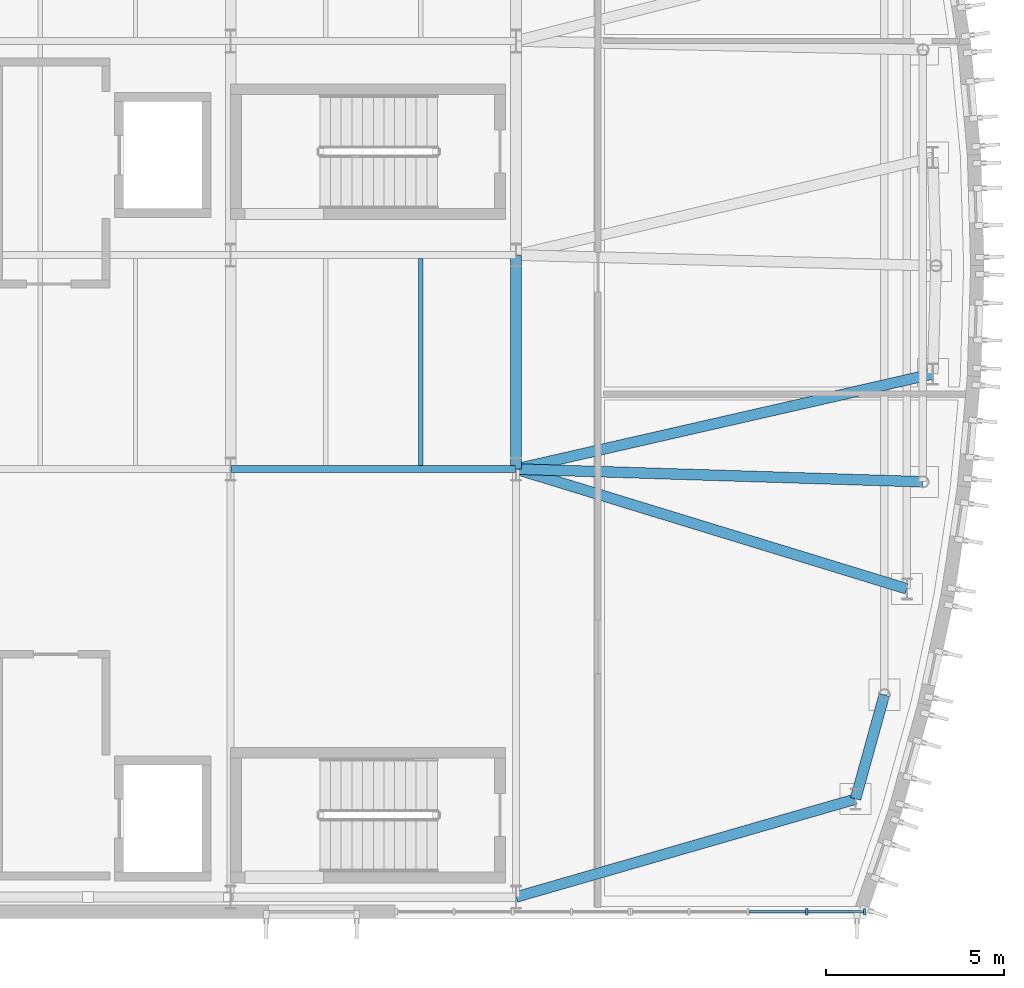
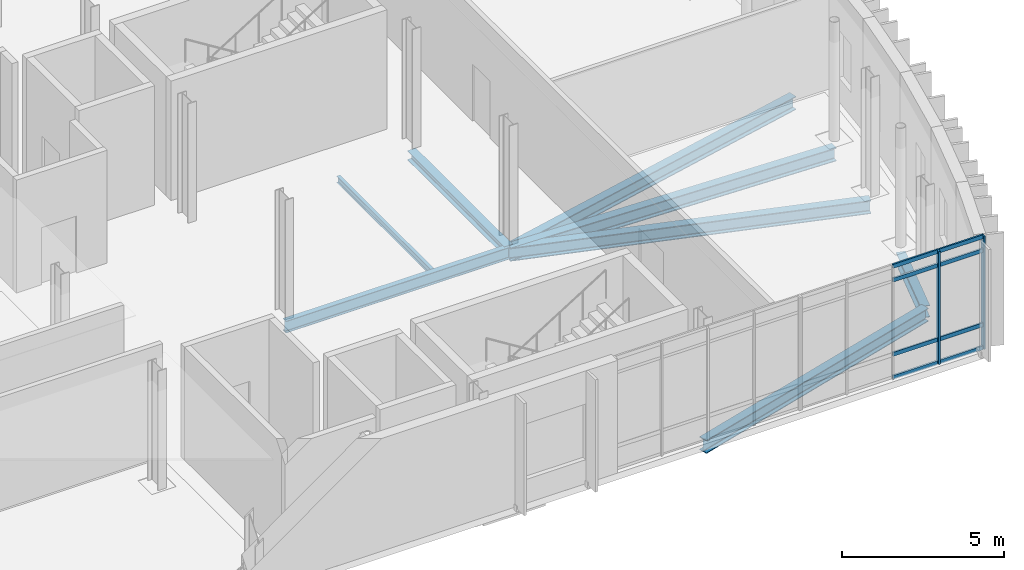
# One storey, part 42 of 100: 10 members, 8 beams, 1 element without a shape of its own.
"""IFC4 building model written with IfcOpenShell, lengths in metres."""

from ifc_helpers import new_model, si_unit, direction, frame, origin, origin_2d, place, context, subcontext, project, spatial, rectangle, i_section, extrude, material, material_profile, profile_set, type_object, element, aggregate, save


model = new_model("IFC4")

# Units and contexts
model_context = context("Model", 3, precision=1e-05, world=origin(), true_north=direction((0.0, 1.0)))
body_context = subcontext(model_context, "Body", "Model", "MODEL_VIEW")
ifc_project = project(units=[si_unit("LENGTHUNIT", "METRE"), si_unit("AREAUNIT", "SQUARE_METRE"), si_unit("VOLUMEUNIT", "CUBIC_METRE"), si_unit("PLANEANGLEUNIT", "RADIAN"), si_unit("MASSUNIT", "GRAM", prefix="KILO")], contexts=[model_context])

# Site, building, storey
site_placement = place(None, origin())
site = spatial("IfcSite", under=ifc_project, at=site_placement, CompositionType="ELEMENT")
building_placement = place(site_placement, origin())
building = spatial("IfcBuilding", under=site, at=building_placement, Name="Cymarion Research Institute", CompositionType="ELEMENT")
storey_placement = place(building_placement, frame((0.0, 0.0, 4.800048828125)))
storey = spatial("IfcBuildingStorey", under=building, at=storey_placement, Name="L01", CompositionType="ELEMENT", Elevation=4.800048828125)

# Curtain wall, members
ifc_material_1 = material(Name="Anodised aluminium unitised curtain wall with Low-E glazing", Category="aluminium")
curtain_wall_type = type_object("IfcCurtainWallType", Name="UNITISED CURTAIN WALL CW01 6590X4250", PredefinedType="NOTDEFINED", material=ifc_material_1)
curtain_wall_placement = place(storey_placement, origin())
curtain_wall = element("IfcCurtainWall", 1, at=curtain_wall_placement, inside=storey, type_object=curtain_wall_type, Name="L01 V1 unitised curtain wall CW01 #7", PredefinedType="NOTDEFINED")
ifc_material_2 = material(Name="Anodised aluminium framing", Category="aluminium")
ifc_material_profile_1 = material_profile(ifc_material_2, rectangle(XDim=0.06005859375, YDim=0.179931640625, at=origin_2d()), Name="ALU MULLION 60x180")
ifc_profile_set_1 = profile_set([ifc_material_profile_1], Name="Anodised aluminium framing")
member_type_1 = type_object("IfcMemberType", Name="CURTAIN WALL MULLION ML01 60X180", PredefinedType="MULLION", material=ifc_profile_set_1)
member_1_placement = place(storey_placement, frame((162.751708984375, 5.090087890625, 0.0), z_axis=(0.0, 0.0, 1.0), x_axis=(1.0, 0.0, 0.0)))
member_1 = element("IfcMember", 2, at=member_1_placement, type_object=member_type_1, Name="CW01 mullion 4", PredefinedType="MULLION", context=body_context, shape_type="SweptSolid", body=[
    extrude(rectangle(XDim=0.06005859375, YDim=0.179931640625, at=origin_2d()), origin(), (0.0, 0.0, 1.0), 4.25),
])
member_2_placement = place(storey_placement, frame((164.3701171875, 5.090087890625, 0.0), z_axis=(0.0, 0.0, 1.0), x_axis=(1.0, 0.0, 0.0)))
member_2 = element("IfcMember", 3, at=member_2_placement, type_object=member_type_1, Name="CW01 mullion 5", PredefinedType="MULLION", context=body_context, shape_type="SweptSolid", body=[
    extrude(rectangle(XDim=0.06005859375, YDim=0.179931640625, at=origin_2d()), origin(), (0.0, 0.0, 1.0), 4.25),
])
ifc_material_profile_2 = material_profile(ifc_material_2, rectangle(XDim=0.06005859375, YDim=0.14990234375, at=origin_2d()), Name="ALU TRANSOM 60x150")
ifc_profile_set_2 = profile_set([ifc_material_profile_2], Name="Anodised aluminium framing")
member_type_2 = type_object("IfcMemberType", Name="CURTAIN WALL TRANSOM TR01 60X150", PredefinedType="USERDEFINED", material=ifc_profile_set_2)
member_3_placement = place(storey_placement, frame((161.133544921875, 5.090087890625, 0.030029296875), z_axis=(1.0, 0.0, 0.0), x_axis=(0.0, 1.0, 0.0)))
member_3 = element("IfcMember", 4, at=member_3_placement, type_object=member_type_2, Name="CW01 transom 3.1", ObjectType="TRANSOM", PredefinedType="USERDEFINED", context=body_context, shape_type="SweptSolid", body=[
    extrude(rectangle(XDim=0.06005859375, YDim=0.14990234375, at=origin_2d()), origin(), (0.0, 0.0, 1.0), 1.588134765625),
])
member_4_placement = place(storey_placement, frame((161.133544921875, 5.090087890625, 0.89990234375), z_axis=(1.0, 0.0, 0.0), x_axis=(0.0, 1.0, 0.0)))
member_4 = element("IfcMember", 5, at=member_4_placement, type_object=member_type_2, Name="CW01 transom 3.2", ObjectType="TRANSOM", PredefinedType="USERDEFINED", context=body_context, shape_type="SweptSolid", body=[
    extrude(rectangle(XDim=0.06005859375, YDim=0.14990234375, at=origin_2d()), origin(), (0.0, 0.0, 1.0), 1.588134765625),
])
member_5_placement = place(storey_placement, frame((161.133544921875, 5.090087890625, 3.699951171875), z_axis=(1.0, 0.0, 0.0), x_axis=(0.0, 1.0, 0.0)))
member_5 = element("IfcMember", 6, at=member_5_placement, type_object=member_type_2, Name="CW01 transom 3.3", ObjectType="TRANSOM", PredefinedType="USERDEFINED", context=body_context, shape_type="SweptSolid", body=[
    extrude(rectangle(XDim=0.06005859375, YDim=0.14990234375, at=origin_2d()), origin(), (0.0, 0.0, 1.0), 1.588134765625),
])
member_6_placement = place(storey_placement, frame((161.133544921875, 5.090087890625, 4.219970703125), z_axis=(1.0, 0.0, 0.0), x_axis=(0.0, 1.0, 0.0)))
member_6 = element("IfcMember", 7, at=member_6_placement, type_object=member_type_2, Name="CW01 transom 3.4", ObjectType="TRANSOM", PredefinedType="USERDEFINED", context=body_context, shape_type="SweptSolid", body=[
    extrude(rectangle(XDim=0.06005859375, YDim=0.14990234375, at=origin_2d()), origin(), (0.0, 0.0, 1.0), 1.588134765625),
])
member_7_placement = place(storey_placement, frame((162.78173828125, 5.090087890625, 0.030029296875), z_axis=(1.0, 0.0, 0.0), x_axis=(0.0, 1.0, 0.0)))
member_7 = element("IfcMember", 8, at=member_7_placement, type_object=member_type_2, Name="CW01 transom 4.1", ObjectType="TRANSOM", PredefinedType="USERDEFINED", context=body_context, shape_type="SweptSolid", body=[
    extrude(rectangle(XDim=0.06005859375, YDim=0.14990234375, at=origin_2d()), origin(), (0.0, 0.0, 1.0), 1.558349609375),
])
member_8_placement = place(storey_placement, frame((162.78173828125, 5.090087890625, 0.89990234375), z_axis=(1.0, 0.0, 0.0), x_axis=(0.0, 1.0, 0.0)))
member_8 = element("IfcMember", 9, at=member_8_placement, type_object=member_type_2, Name="CW01 transom 4.2", ObjectType="TRANSOM", PredefinedType="USERDEFINED", context=body_context, shape_type="SweptSolid", body=[
    extrude(rectangle(XDim=0.06005859375, YDim=0.14990234375, at=origin_2d()), origin(), (0.0, 0.0, 1.0), 1.558349609375),
])
member_9_placement = place(storey_placement, frame((162.78173828125, 5.090087890625, 3.699951171875), z_axis=(1.0, 0.0, 0.0), x_axis=(0.0, 1.0, 0.0)))
member_9 = element("IfcMember", 10, at=member_9_placement, type_object=member_type_2, Name="CW01 transom 4.3", ObjectType="TRANSOM", PredefinedType="USERDEFINED", context=body_context, shape_type="SweptSolid", body=[
    extrude(rectangle(XDim=0.06005859375, YDim=0.14990234375, at=origin_2d()), origin(), (0.0, 0.0, 1.0), 1.558349609375),
])
member_10_placement = place(storey_placement, frame((162.78173828125, 5.090087890625, 4.219970703125), z_axis=(1.0, 0.0, 0.0), x_axis=(0.0, 1.0, 0.0)))
member_10 = element("IfcMember", 11, at=member_10_placement, type_object=member_type_2, Name="CW01 transom 4.4", ObjectType="TRANSOM", PredefinedType="USERDEFINED", context=body_context, shape_type="SweptSolid", body=[
    extrude(rectangle(XDim=0.06005859375, YDim=0.14990234375, at=origin_2d()), origin(), (0.0, 0.0, 1.0), 1.558349609375),
])
aggregate(curtain_wall, [member_1, member_2, member_3, member_4, member_5, member_6, member_7, member_8, member_9, member_10])

# Beams
ifc_material_3 = material(Name="Steel S355", Category="steel")
ifc_material_profile_3 = material_profile(ifc_material_3, i_section(OverallWidth=0.18994140625, OverallDepth=0.449951171875, WebThickness=0.009521484375, FlangeThickness=0.0146484375, FilletRadius=0.02099609375, at=origin_2d()), Name="IPE 450")
ifc_profile_set_3 = profile_set([ifc_material_profile_3], Name="Steel S355")
beam_type_1 = type_object("IfcBeamType", Name="PRIMARY GIRDER BM04 IPE 450", PredefinedType="BEAM", material=ifc_profile_set_3)
beam_1_placement = place(storey_placement, frame((146.60595703125, 17.5, -0.47509765625), z_axis=(1.0, 0.0, 0.0), x_axis=(0.0, 1.0, 0.0)))
element("IfcBeam", 12, at=beam_1_placement, inside=storey, type_object=beam_type_1, Name="L01 V1 girder BM04 #363", PredefinedType="BEAM", context=body_context, shape_type="SweptSolid", body=[
    extrude(i_section(OverallWidth=0.18994140625, OverallDepth=0.449951171875, WebThickness=0.009521484375, FlangeThickness=0.0146484375, FilletRadius=0.02099609375, at=origin_2d()), origin(), (0.0, 0.0, 1.0), 7.988037109375),
])
ifc_material_profile_4 = material_profile(ifc_material_3, i_section(OverallWidth=0.300048828125, OverallDepth=0.5, WebThickness=0.014404296875, FlangeThickness=0.028076171875, FilletRadius=0.027099609375, at=origin_2d()), Name="HEB 500")
ifc_profile_set_4 = profile_set([ifc_material_profile_4], Name="Steel S355")
beam_type_2 = type_object("IfcBeamType", Name="PRIMARY GIRDER BM09 HEB 500", PredefinedType="BEAM", material=ifc_profile_set_4)
beam_2_placement = place(storey_placement, frame((154.607666015625, 5.502197265625, -0.5), z_axis=(0.960790340878, 0.277275893067, 0.0), x_axis=(-0.277275893067, 0.960790340878, 0.0)))
element("IfcBeam", 13, at=beam_2_placement, inside=storey, type_object=beam_type_2, Name="L01 V1 radial prow girder BM09 #411", PredefinedType="BEAM", context=body_context, shape_type="SweptSolid", body=[
    extrude(i_section(OverallWidth=0.300048828125, OverallDepth=0.5, WebThickness=0.014404296875, FlangeThickness=0.028076171875, FilletRadius=0.027099609375, at=origin_2d()), origin(), (0.0, 0.0, 1.0), 9.8916015625),
])
beam_3_placement = place(storey_placement, frame((154.607666015625, 17.497802734375, -0.5), z_axis=(0.956111343016, -0.29300358318, 0.0), x_axis=(0.29300358318, 0.956111343016, 0.0)))
element("IfcBeam", 14, at=beam_3_placement, inside=storey, type_object=beam_type_2, Name="L01 V1 radial prow girder BM09 #412", PredefinedType="BEAM", context=body_context, shape_type="SweptSolid", body=[
    extrude(i_section(OverallWidth=0.300048828125, OverallDepth=0.5, WebThickness=0.014404296875, FlangeThickness=0.028076171875, FilletRadius=0.027099609375, at=origin_2d()), origin(), (0.0, 0.0, 1.0), 11.447021484375),
])
beam_4_placement = place(storey_placement, frame((154.60791015625, 17.499755859375, -0.5), z_axis=(0.999510612774, -0.03128154332, 0.0), x_axis=(0.03128154332, 0.999510612774, 0.0)))
element("IfcBeam", 15, at=beam_4_placement, inside=storey, type_object=beam_type_2, Name="L01 V1 radial prow girder BM09 #413", PredefinedType="BEAM", context=body_context, shape_type="SweptSolid", body=[
    extrude(i_section(OverallWidth=0.300048828125, OverallDepth=0.5, WebThickness=0.014404296875, FlangeThickness=0.028076171875, FilletRadius=0.027099609375, at=origin_2d()), origin(), (0.0, 0.0, 1.0), 11.402587890625),
])
beam_5_placement = place(storey_placement, frame((154.60791015625, 17.501708984375, -0.5), z_axis=(0.974944767555, 0.222447072846, 0.0), x_axis=(-0.222447072846, 0.974944767555, 0.0)))
element("IfcBeam", 16, at=beam_5_placement, inside=storey, type_object=beam_type_2, Name="L01 V1 radial prow girder BM09 #414", PredefinedType="BEAM", context=body_context, shape_type="SweptSolid", body=[
    extrude(i_section(OverallWidth=0.300048828125, OverallDepth=0.5, WebThickness=0.014404296875, FlangeThickness=0.028076171875, FilletRadius=0.027099609375, at=origin_2d()), origin(), (0.0, 0.0, 1.0), 11.969482421875),
])
ifc_material_profile_5 = material_profile(ifc_material_3, i_section(OverallWidth=0.300048828125, OverallDepth=0.449951171875, WebThickness=0.013916015625, FlangeThickness=0.02587890625, FilletRadius=0.027099609375, at=origin_2d()), Name="HEB 450")
ifc_profile_set_5 = profile_set([ifc_material_profile_5], Name="Steel S355")
beam_type_3 = type_object("IfcBeamType", Name="PRIMARY GIRDER BM10 HEB 450", PredefinedType="BEAM", material=ifc_profile_set_5)
beam_6_placement = place(storey_placement, frame((164.12109375, 8.254638671875, -0.47509765625), z_axis=(0.266488575035, 0.963838077364, 0.0), x_axis=(-0.963838077364, 0.266488575035, 0.0)))
element("IfcBeam", 17, at=beam_6_placement, inside=storey, type_object=beam_type_3, Name="L01 V1 prow ring girder BM10 #407", PredefinedType="BEAM", context=body_context, shape_type="SweptSolid", body=[
    extrude(i_section(OverallWidth=0.300048828125, OverallDepth=0.449951171875, WebThickness=0.013916015625, FlangeThickness=0.02587890625, FilletRadius=0.027099609375, at=origin_2d()), origin(), (0.0, 0.0, 1.0), 3.01953125),
])
ifc_material_profile_6 = material_profile(ifc_material_3, i_section(OverallWidth=0.300048828125, OverallDepth=0.35009765625, WebThickness=0.010009765625, FlangeThickness=0.017578125, FilletRadius=0.027099609375, at=origin_2d()), Name="HEA 360")
ifc_profile_set_6 = profile_set([ifc_material_profile_6], Name="Steel S355")
beam_type_4 = type_object("IfcBeamType", Name="PRIMARY GIRDER BM12 HEA 360", PredefinedType="BEAM", material=ifc_profile_set_6)
beam_7_placement = place(storey_placement, frame((154.60009765625, 17.506103515625, -0.425048828125), z_axis=(0.0, 1.0, 0.0), x_axis=(-1.0, 0.0, 0.0)))
element("IfcBeam", 18, at=beam_7_placement, inside=storey, type_object=beam_type_4, Name="L01 V1 girder BM12 #400", PredefinedType="BEAM", context=body_context, shape_type="SweptSolid", body=[
    extrude(i_section(OverallWidth=0.300048828125, OverallDepth=0.35009765625, WebThickness=0.010009765625, FlangeThickness=0.017578125, FilletRadius=0.027099609375, at=origin_2d()), origin(), (0.0, 0.0, 1.0), 5.98779296875),
])
ifc_material_profile_7 = material_profile(ifc_material_3, i_section(OverallWidth=0.1201171875, OverallDepth=0.239990234375, WebThickness=0.006103515625, FlangeThickness=0.009765625, FilletRadius=0.014892578125, at=origin_2d()), Name="IPE 240")
ifc_profile_set_7 = profile_set([ifc_material_profile_7], Name="Steel S355")
beam_type_5 = type_object("IfcBeamType", Name="SECONDARY JOIST JS04 IPE 240", PredefinedType="JOIST", material=ifc_profile_set_7)
beam_8_placement = place(storey_placement, frame((151.933349609375, 17.59912109375, -0.3701171875), z_axis=(0.0, 1.0, 0.0), x_axis=(-1.0, 0.0, 0.0)))
element("IfcBeam", 19, at=beam_8_placement, inside=storey, type_object=beam_type_5, Name="L01 V1 secondary joist JS04 #448", PredefinedType="JOIST", context=body_context, shape_type="SweptSolid", body=[
    extrude(i_section(OverallWidth=0.1201171875, OverallDepth=0.239990234375, WebThickness=0.006103515625, FlangeThickness=0.009765625, FilletRadius=0.014892578125, at=origin_2d()), origin(), (0.0, 0.0, 1.0), 5.8017578125),
])

save(model, "model.ifc")
